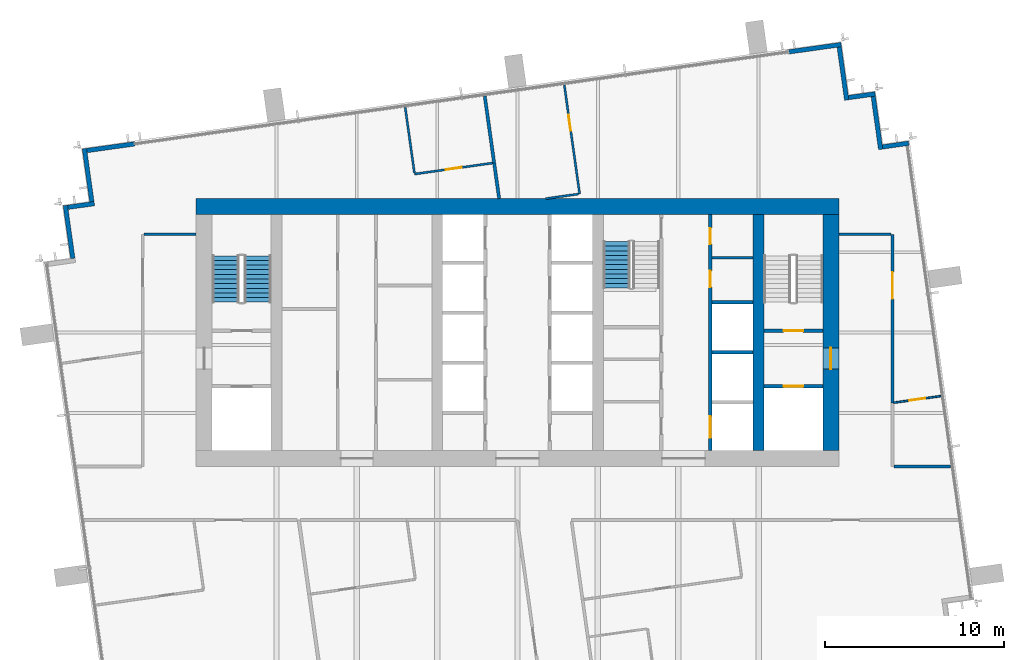
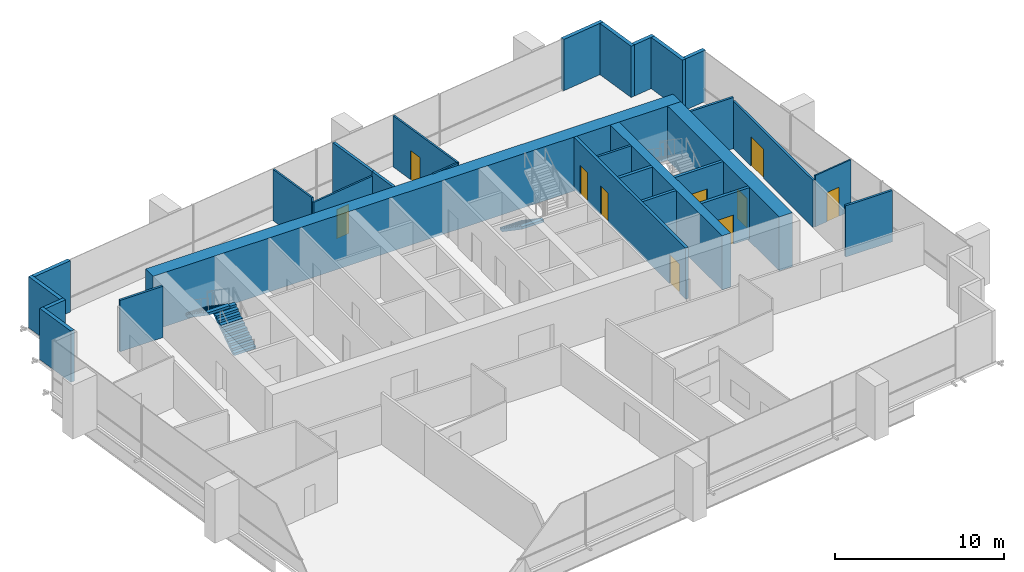
# One storey, part 10 of 12: 29 walls, 10 doors, 3 stair flights, 10 openings, 2 elements without a shape of their own.
"""IFC4 building model written with IfcOpenShell, lengths in metres."""

from ifc_helpers import new_model, si_unit, direction, frame, frame_2d, origin, place, context, subcontext, project, spatial, polyline, rectangle, outline, extrude, material, layer, layer_set, type_object, element, fill, aggregate, save


model = new_model("IFC4")

# Units and contexts
model_context = context("Model", 3, precision=1e-05, world=origin(), true_north=direction((0.0, 1.0)))
body_context = subcontext(model_context, "Body", "Model", "MODEL_VIEW")
ifc_project = project(units=[si_unit("LENGTHUNIT", "METRE"), si_unit("AREAUNIT", "SQUARE_METRE"), si_unit("VOLUMEUNIT", "CUBIC_METRE"), si_unit("PLANEANGLEUNIT", "RADIAN"), si_unit("MASSUNIT", "GRAM", prefix="KILO")], contexts=[model_context])

# Site, building, storey
site_placement = place(None, origin())
site = spatial("IfcSite", under=ifc_project, at=site_placement, CompositionType="ELEMENT")
building_placement = place(site_placement, origin())
building = spatial("IfcBuilding", under=site, at=building_placement, Name="Rattan Terrace Tower", CompositionType="ELEMENT")
storey_placement = place(building_placement, frame((0.0, 0.0, 282.39990234375)))
storey = spatial("IfcBuildingStorey", under=building, at=storey_placement, Name="L65", CompositionType="ELEMENT", Elevation=282.39990234375)

# Wall
ifc_material_1 = material(Name="Gypsum board partition")
ifc_layer_1 = layer(ifc_material_1, 0.14990234375)
ifc_layer_set_1 = layer_set([ifc_layer_1], Name="Core partition 150")
wall_type_1 = type_object("IfcWallType", Name="Core partition 150", PredefinedType="PARTITIONING", material=ifc_layer_set_1)
wall_1_placement = place(storey_placement, frame((10.89990234375, 4.199951171875, 0.0), z_axis=(0.0, 0.0, 1.0), x_axis=(1.0, 0.0, 0.0)))
element("IfcWall", 1, at=wall_1_placement, inside=storey, type_object=wall_type_1, Name="Riser room wall", PredefinedType="PARTITIONING", context=body_context, shape_type="SweptSolid", body=[
    extrude(rectangle(XDim=2.300048828125, YDim=0.14990234375, at=frame_2d((1.14990234375, 0.0))), origin(), (0.0, 0.0, 1.0), 3.7001953125),
])

# Wall, opening, door
ifc_material_2 = material(Name="Gypsum board partition")
ifc_layer_2 = layer(ifc_material_2, 0.199951171875)
ifc_layer_set_2 = layer_set([ifc_layer_2], Name="Core partition 200")
wall_type_2 = type_object("IfcWallType", Name="Core partition 200", PredefinedType="PARTITIONING", material=ifc_layer_set_2)
wall_2_placement = place(storey_placement, frame((13.800048828125, -3.0, 0.0), z_axis=(0.0, 0.0, 1.0), x_axis=(1.0, 0.0, 0.0)))
wall_2 = element("IfcWall", 2, at=wall_2_placement, inside=storey, type_object=wall_type_2, Name="Fire-fighting lobby wall", PredefinedType="PARTITIONING", context=body_context, shape_type="SweptSolid", body=[
    extrude(rectangle(XDim=3.300048828125, YDim=0.199951171875, at=frame_2d((1.64990234375, 0.0))), origin(), (0.0, 0.0, 1.0), 3.7001953125),
])
opening_1_placement = place(wall_2_placement, frame((1.10009765625, 0.0, 0.0)))
opening_1 = element("IfcOpeningElement", 3, at=opening_1_placement, cuts=wall_2, Name="Opening L65-LD-FF2", PredefinedType="OPENING", context=body_context, shape_type="SweptSolid", body=[
    extrude(rectangle(XDim=1.10009765625, YDim=2.10009765625, at=frame_2d((0.550048828125, 1.050048828125))), frame((0.0, 0.110595703125, 0.0), z_axis=(0.0, -1.0, 0.0), x_axis=(1.0, 0.0, 0.0)), (0.0, 0.0, 1.0), 0.220947265625),
])
ifc_material_3 = material(Name="Brushed stainless landing door panel")
door_type_1 = type_object("IfcDoorType", Name="Core lift landing door 1100", OperationType="DOUBLE_DOOR_SLIDING", PredefinedType="DOOR", material=ifc_material_3)
door_1_placement = place(opening_1_placement, origin())
door_1 = element("IfcDoor", 4, at=door_1_placement, inside=storey, type_object=door_type_1, Name="Door L65-LD-FF2", OperationType="DOUBLE_DOOR_SLIDING", OverallHeight=2.10009765625, OverallWidth=1.10009765625, PredefinedType="DOOR", context=body_context, shape_type="SweptSolid", body=[
    extrude(rectangle(XDim=1.10009765625, YDim=2.10009765625, at=frame_2d((0.550048828125, 1.050048828125))), frame((0.0, 0.02490234375, 0.0), z_axis=(0.0, -1.0, 0.0), x_axis=(1.0, 0.0, 0.0)), (0.0, 0.0, 1.0), 0.050048828125),
])
fill(opening_1, door_1)

wall_3_placement = place(storey_placement, frame((13.800048828125, 0.10009765625, 0.0), z_axis=(0.0, 0.0, 1.0), x_axis=(1.0, 0.0, 0.0)))
wall_3 = element("IfcWall", 5, at=wall_3_placement, inside=storey, type_object=wall_type_2, Name="Stair enclosure wall", PredefinedType="PARTITIONING", context=body_context, shape_type="SweptSolid", body=[
    extrude(rectangle(XDim=3.300048828125, YDim=0.199951171875, at=frame_2d((1.64990234375, 0.0))), origin(), (0.0, 0.0, 1.0), 3.7001953125),
])
opening_2_placement = place(wall_3_placement, frame((1.10009765625, 0.0, 0.0)))
opening_2 = element("IfcOpeningElement", 6, at=opening_2_placement, cuts=wall_3, Name="Opening L65-D004", PredefinedType="OPENING", context=body_context, shape_type="SweptSolid", body=[
    extrude(rectangle(XDim=1.10009765625, YDim=2.10009765625, at=frame_2d((0.550048828125, 1.050048828125))), frame((0.0, 0.110595703125, 0.0), z_axis=(0.0, -1.0, 0.0), x_axis=(1.0, 0.0, 0.0)), (0.0, 0.0, 1.0), 0.220947265625),
])
ifc_material_4 = material(Name="Hollow-metal fire door leaf")
door_type_2 = type_object("IfcDoorType", Name="Core stair door 1100", OperationType="NOTDEFINED", PredefinedType="DOOR", material=ifc_material_4)
door_2_placement = place(opening_2_placement, origin())
door_2 = element("IfcDoor", 7, at=door_2_placement, inside=storey, type_object=door_type_2, Name="Door L65-D004", OperationType="SINGLE_SWING_LEFT", OverallHeight=2.10009765625, OverallWidth=1.10009765625, PredefinedType="DOOR", context=body_context, shape_type="SweptSolid", body=[
    extrude(rectangle(XDim=1.10009765625, YDim=2.10009765625, at=frame_2d((0.550048828125, 1.050048828125))), frame((0.0, 0.02490234375, 0.0), z_axis=(0.0, -1.0, 0.0), x_axis=(1.0, 0.0, 0.0)), (0.0, 0.0, 1.0), 0.050048828125),
])
fill(opening_2, door_2)

# Wall
ifc_material_5 = material(Name="Concrete C50/60", Category="concrete")
ifc_layer_3 = layer(ifc_material_5, 0.89990234375)
ifc_layer_set_3 = layer_set([ifc_layer_3], Name="Core ring wall 900 C50/60")
wall_type_3 = type_object("IfcWallType", Name="Core ring wall 900 C50/60", PredefinedType="SHEAR", material=ifc_layer_set_3)
wall_4_placement = place(storey_placement, frame((-18.0, 7.050048828125, -0.199951171875), z_axis=(0.0, 0.0, 1.0), x_axis=(1.0, 0.0, 0.0)))
element("IfcWall", 8, at=wall_4_placement, inside=storey, type_object=wall_type_3, Name="Rear core wall north", PredefinedType="SHEAR", context=body_context, shape_type="SweptSolid", body=[
    extrude(rectangle(XDim=36.0, YDim=0.89990234375, at=frame_2d((18.0, 0.0))), origin(), (0.0, 0.0, 1.0), 3.900146484375),
])

# Wall, opening, door
wall_5_placement = place(storey_placement, frame((17.550048828125, -6.60009765625, -0.199951171875), z_axis=(0.0, 0.0, 1.0), x_axis=(0.0, 1.0, 0.0)))
wall_5 = element("IfcWall", 9, at=wall_5_placement, inside=storey, type_object=wall_type_3, Name="Rear core wall east", PredefinedType="SHEAR", context=body_context, shape_type="SweptSolid", body=[
    extrude(rectangle(XDim=13.2001953125, YDim=0.89990234375, at=frame_2d((6.60009765625, 0.0))), origin(), (0.0, 0.0, 1.0), 3.900146484375),
])
opening_3_placement = place(wall_5_placement, frame((4.550048828125, 0.0, 0.199951171875)))
opening_3 = element("IfcOpeningElement", 10, at=opening_3_placement, cuts=wall_5, Name="Opening L65-D003", PredefinedType="OPENING", context=body_context, shape_type="SweptSolid", body=[
    extrude(rectangle(XDim=1.199951171875, YDim=2.10009765625, at=frame_2d((0.60009765625, 1.050048828125))), frame((0.0, 0.46044921875, 0.0), z_axis=(0.0, -1.0, 0.0), x_axis=(1.0, 0.0, 0.0)), (0.0, 0.0, 1.0), 0.9208984375),
])
ifc_material_6 = material(Name="Hollow-metal fire door leaf")
door_type_3 = type_object("IfcDoorType", Name="Core fire-fighting lobby door 1200", OperationType="NOTDEFINED", PredefinedType="DOOR", material=ifc_material_6)
door_3_placement = place(opening_3_placement, origin())
door_3 = element("IfcDoor", 11, at=door_3_placement, inside=storey, type_object=door_type_3, Name="Door L65-D003", OperationType="SINGLE_SWING_RIGHT", OverallHeight=2.10009765625, OverallWidth=1.199951171875, PredefinedType="DOOR", context=body_context, shape_type="SweptSolid", body=[
    extrude(rectangle(XDim=1.199951171875, YDim=2.10009765625, at=frame_2d((0.60009765625, 1.050048828125))), frame((0.0, 0.02490234375, 0.0), z_axis=(0.0, -1.0, 0.0), x_axis=(1.0, 0.0, 0.0)), (0.0, 0.0, 1.0), 0.050048828125),
])
fill(opening_3, door_3)

# Walls
ifc_material_7 = material(Name="Concrete C50/60", Category="concrete")
ifc_layer_4 = layer(ifc_material_7, 0.60009765625)
ifc_layer_set_4 = layer_set([ifc_layer_4], Name="Core spine wall 600 C50/60")
wall_type_4 = type_object("IfcWallType", Name="Core spine wall 600 C50/60", PredefinedType="SHEAR", material=ifc_layer_set_4)
wall_6_placement = place(storey_placement, frame((13.5, -6.60009765625, -0.199951171875), z_axis=(0.0, 0.0, 1.0), x_axis=(0.0, 1.0, 0.0)))
element("IfcWall", 12, at=wall_6_placement, inside=storey, type_object=wall_type_4, Name="Core spine wall 4", PredefinedType="SHEAR", context=body_context, shape_type="SweptSolid", body=[
    extrude(rectangle(XDim=13.2001953125, YDim=0.60009765625, at=frame_2d((6.60009765625, 0.0))), origin(), (0.0, 0.0, 1.0), 3.900146484375),
])
ifc_material_8 = material(Name="Insulated aluminium-clad stud wall", Category="aluminium")
ifc_layer_5 = layer(ifc_material_8, 0.25)
ifc_layer_set_5 = layer_set([ifc_layer_5], Name="Facade Riser Wall 250")
wall_type_5 = type_object("IfcWallType", Name="Facade Riser Wall 250", PredefinedType="SOLIDWALL", material=ifc_layer_set_5)
wall_7_placement = place(storey_placement, frame((21.90625, 10.60498046875, 0.0), z_axis=(0.0, 0.0, 1.0), x_axis=(-0.990235520307, -0.13940449893, 0.0)))
element("IfcWall", 13, at=wall_7_placement, inside=storey, type_object=wall_type_5, Name="Riser wall L65-6", PredefinedType="SOLIDWALL", context=body_context, shape_type="SweptSolid", body=[
    extrude(rectangle(XDim=1.474609375, YDim=0.25, at=frame_2d((0.7373046875, 0.0))), origin(), (0.0, 0.0, 1.0), 3.7001953125),
])
wall_8_placement = place(storey_placement, frame((20.33984375, 10.25830078125, 0.0), z_axis=(0.0, 0.0, 1.0), x_axis=(-0.139393225799, 0.990237107263, 0.0)))
element("IfcWall", 14, at=wall_8_placement, inside=storey, type_object=wall_type_5, Name="Riser wall L65-7", PredefinedType="SOLIDWALL", context=body_context, shape_type="SweptSolid", body=[
    extrude(rectangle(XDim=3.000244140625, YDim=0.25, at=frame_2d((1.5, 0.0))), origin(), (0.0, 0.0, 1.0), 3.7001953125),
])
wall_9_placement = place(storey_placement, frame((20.028076171875, 13.370361328125, 0.0), z_axis=(0.0, 0.0, 1.0), x_axis=(-0.990330117064, -0.138730887823, 0.0)))
element("IfcWall", 15, at=wall_9_placement, inside=storey, type_object=wall_type_5, Name="Riser wall L65-8", PredefinedType="SOLIDWALL", context=body_context, shape_type="SweptSolid", body=[
    extrude(rectangle(XDim=1.499267578125, YDim=0.25, at=frame_2d((0.74951171875, 0.0))), origin(), (0.0, 0.0, 1.0), 3.7001953125),
])
wall_10_placement = place(storey_placement, frame((18.436767578125, 13.021240234375, 0.0), z_axis=(0.0, 0.0, 1.0), x_axis=(-0.139358350296, 0.990242015975, 0.0)))
element("IfcWall", 16, at=wall_10_placement, inside=storey, type_object=wall_type_5, Name="Riser wall L65-9", PredefinedType="SOLIDWALL", context=body_context, shape_type="SweptSolid", body=[
    extrude(rectangle(XDim=2.999267578125, YDim=0.25, at=frame_2d((1.49951171875, 0.0))), origin(), (0.0, 0.0, 1.0), 3.7001953125),
])
wall_11_placement = place(storey_placement, frame((18.125244140625, 16.13232421875, 0.0), z_axis=(0.0, 0.0, 1.0), x_axis=(-0.990291981483, -0.139002846771, 0.0)))
element("IfcWall", 17, at=wall_11_placement, inside=storey, type_object=wall_type_5, Name="Riser wall L65-10", PredefinedType="SOLIDWALL", context=body_context, shape_type="SweptSolid", body=[
    extrude(rectangle(XDim=2.9541015625, YDim=0.25, at=frame_2d((1.47705078125, 0.0))), origin(), (0.0, 0.0, 1.0), 3.7001953125),
])
wall_12_placement = place(storey_placement, frame((-21.4404296875, 10.571533203125, 0.0), z_axis=(0.0, 0.0, 1.0), x_axis=(-0.990293105353, -0.138994839796, 0.0)))
element("IfcWall", 18, at=wall_12_placement, inside=storey, type_object=wall_type_5, Name="Riser wall L65-11", PredefinedType="SOLIDWALL", context=body_context, shape_type="SweptSolid", body=[
    extrude(rectangle(XDim=2.705078125, YDim=0.25, at=frame_2d((1.3525390625, 0.0))), origin(), (0.0, 0.0, 1.0), 3.7001953125),
])
wall_13_placement = place(storey_placement, frame((-24.260498046875, 10.302001953125, 0.0), z_axis=(0.0, 0.0, 1.0), x_axis=(0.138994228812, -0.990293191109, 0.0)))
element("IfcWall", 19, at=wall_13_placement, inside=storey, type_object=wall_type_5, Name="Riser wall L65-12", PredefinedType="SOLIDWALL", context=body_context, shape_type="SweptSolid", body=[
    extrude(rectangle(XDim=3.0, YDim=0.25, at=frame_2d((1.5, 0.0))), origin(), (0.0, 0.0, 1.0), 3.7001953125),
])
wall_14_placement = place(storey_placement, frame((-23.7021484375, 7.224853515625, 0.0), z_axis=(0.0, 0.0, 1.0), x_axis=(-0.990243596651, -0.13934711799, 0.0)))
element("IfcWall", 20, at=wall_14_placement, inside=storey, type_object=wall_type_5, Name="Riser wall L65-13", PredefinedType="SOLIDWALL", context=body_context, shape_type="SweptSolid", body=[
    extrude(rectangle(XDim=1.499755859375, YDim=0.25, at=frame_2d((0.75, 0.0))), origin(), (0.0, 0.0, 1.0), 3.7001953125),
])
wall_15_placement = place(storey_placement, frame((-25.328369140625, 7.1220703125, 0.0), z_axis=(0.0, 0.0, 1.0), x_axis=(0.139358350296, -0.990242015975, 0.0)))
element("IfcWall", 21, at=wall_15_placement, inside=storey, type_object=wall_type_5, Name="Riser wall L65-14", PredefinedType="SOLIDWALL", context=body_context, shape_type="SweptSolid", body=[
    extrude(rectangle(XDim=2.999267578125, YDim=0.25, at=frame_2d((1.49951171875, 0.0))), origin(), (0.0, 0.0, 1.0), 3.7001953125),
])
ifc_material_9 = material(Name="Double steel stud acoustic partition, gypsum board, mineral wool, fire rated", Category="steel")
ifc_layer_6 = layer(ifc_material_9, 0.179931640625)
ifc_layer_set_6 = layer_set([ifc_layer_6], Name="Floors Acoustic Party Wall 180")
wall_type_6 = type_object("IfcWallType", Name="Floors Acoustic Party Wall 180", PredefinedType="PARTITIONING", material=ifc_layer_set_6)
wall_16_placement = place(storey_placement, frame((-1.31201171875, 9.506103515625, 0.0), z_axis=(0.0, 0.0, 1.0), x_axis=(0.139193896019, -0.990265145964, 0.0)))
element("IfcWall", 22, at=wall_16_placement, inside=storey, type_object=wall_type_6, Name="pt-L65-032", PredefinedType="PARTITIONING", context=body_context, shape_type="SweptSolid", body=[
    extrude(rectangle(XDim=2.02587890625, YDim=0.179931640625, at=frame_2d((1.012939453125, 0.0))), origin(), (0.0, 0.0, 1.0), 3.7001953125),
])
wall_17_placement = place(storey_placement, frame((-1.8359375, 13.237060546875, 0.0), z_axis=(0.0, 0.0, 1.0), x_axis=(0.139062210866, -0.990283646997, 0.0)))
element("IfcWall", 23, at=wall_17_placement, inside=storey, type_object=wall_type_6, Name="pt-L65-033", PredefinedType="PARTITIONING", context=body_context, shape_type="SweptSolid", body=[
    extrude(rectangle(XDim=3.767578125, YDim=0.179931640625, at=frame_2d((1.8837890625, 0.0))), origin(), (0.0, 0.0, 1.0), 3.7001953125),
])

# Wall, opening, door
ifc_material_10 = material(Name="Gypsum board partition on steel studs", Category="steel")
ifc_layer_7 = layer(ifc_material_10, 0.10009765625)
ifc_layer_set_7 = layer_set([ifc_layer_7], Name="Floors Partition 100")
wall_type_7 = type_object("IfcWallType", Name="Floors Partition 100", PredefinedType="PARTITIONING", material=ifc_layer_set_7)
wall_18_placement = place(storey_placement, frame((23.705078125, -3.556884765625, 0.0), z_axis=(0.0, 0.0, 1.0), x_axis=(-0.990242548456, -0.139354566582, 0.0)))
wall_18 = element("IfcWall", 24, at=wall_18_placement, inside=storey, type_object=wall_type_7, Name="pt-L65-034", PredefinedType="PARTITIONING", context=body_context, shape_type="SweptSolid", body=[
    extrude(rectangle(XDim=2.662841796875, YDim=0.10009765625, at=frame_2d((1.33154296875, 0.0))), origin(), (0.0, 0.0, 1.0), 3.7001953125),
])
opening_4_placement = place(wall_18_placement, frame((0.882080078125, 0.0, 0.0)))
opening_4 = element("IfcOpeningElement", 25, at=opening_4_placement, cuts=wall_18, Name="Opening L65-D111", PredefinedType="OPENING", context=body_context, shape_type="SweptSolid", body=[
    extrude(rectangle(XDim=0.89990234375, YDim=2.10009765625, at=frame_2d((0.449951171875, 1.050048828125))), frame((0.0, 0.060546875, 0.0), z_axis=(0.0, -1.0, 0.0), x_axis=(1.0, 0.0, 0.0)), (0.0, 0.0, 1.0), 0.12109375),
])
ifc_material_11 = material(Name="Solid core timber door, painted", Category="wood")
door_type_4 = type_object("IfcDoorType", Name="Floors Door 900x2100", OperationType="NOTDEFINED", PredefinedType="DOOR", material=ifc_material_11)
door_4_placement = place(opening_4_placement, origin())
door_4 = element("IfcDoor", 26, at=door_4_placement, inside=storey, type_object=door_type_4, Name="d-L65-111", OperationType="SINGLE_SWING_RIGHT", OverallHeight=2.10009765625, OverallWidth=0.89990234375, PredefinedType="DOOR", context=body_context, shape_type="SweptSolid", body=[
    extrude(rectangle(XDim=0.89990234375, YDim=2.10009765625, at=frame_2d((0.449951171875, 1.050048828125))), frame((0.0, 0.02490234375, 0.0), z_axis=(0.0, -1.0, 0.0), x_axis=(1.0, 0.0, 0.0)), (0.0, 0.0, 1.0), 0.050048828125),
])
fill(opening_4, door_4)

# Walls
ifc_material_12 = material(Name="Gypsum board partition on steel studs, fire rated", Category="steel")
ifc_layer_8 = layer(ifc_material_12, 0.14990234375)
ifc_layer_set_8 = layer_set([ifc_layer_8], Name="Floors Tenancy Wall 150")
wall_type_8 = type_object("IfcWallType", Name="Floors Tenancy Wall 150", PredefinedType="PARTITIONING", material=ifc_layer_set_8)
for number, where, z_axis, x_axis, name in (
    (27, (-20.925048828125, 5.5, 0.0), (0.0, 0.0, 1.0), (1.0, 0.0, 0.0), "pt-L65-012"),
    (28, (18.0, 5.5, 0.0), (0.0, 0.0, 1.0), (1.0, 0.0, 0.0), "pt-L65-015"),
):
    element("IfcWall", number, at=place(storey_placement, frame(where, z_axis=z_axis, x_axis=x_axis)), inside=storey, type_object=wall_type_8, Name=name, PredefinedType="PARTITIONING", context=body_context, shape_type="SweptSolid", body=[
        extrude(rectangle(XDim=2.925048828125, YDim=0.14990234375, at=frame_2d((1.46240234375, 0.0))), origin(), (0.0, 0.0, 1.0), 3.7001953125),
    ])

# Wall, opening, door
wall_19_placement = place(storey_placement, frame((21.0, 5.5, 0.0), z_axis=(0.0, 0.0, 1.0), x_axis=(0.0, -1.0, 0.0)))
wall_19 = element("IfcWall", 29, at=wall_19_placement, inside=storey, type_object=wall_type_8, Name="pt-L65-016", PredefinedType="PARTITIONING", context=body_context, shape_type="SweptSolid", body=[
    extrude(rectangle(XDim=9.4580078125, YDim=0.14990234375, at=frame_2d((4.72900390625, 0.0))), origin(), (0.0, 0.0, 1.0), 3.400146484375),
])
opening_5_placement = place(wall_19_placement, frame((2.114990234375, 0.0, 0.0)))
opening_5 = element("IfcOpeningElement", 30, at=opening_5_placement, cuts=wall_19, Name="Opening L65-D110", PredefinedType="OPENING", context=body_context, shape_type="SweptSolid", body=[
    extrude(rectangle(XDim=1.5, YDim=2.10009765625, at=frame_2d((0.75, 1.050048828125))), frame((0.0, 0.08544921875, 0.0), z_axis=(0.0, -1.0, 0.0), x_axis=(1.0, 0.0, 0.0)), (0.0, 0.0, 1.0), 0.1708984375),
])
ifc_material_13 = material(Name="Steel fire door set", Category="steel")
door_type_5 = type_object("IfcDoorType", Name="Floors Unit Door Pair FD30S 1500x2100", OperationType="NOTDEFINED", PredefinedType="DOOR", material=ifc_material_13)
door_5_placement = place(opening_5_placement, origin())
door_5 = element("IfcDoor", 31, at=door_5_placement, inside=storey, type_object=door_type_5, Name="d-L65-110", OperationType="DOUBLE_DOOR_SINGLE_SWING", OverallHeight=2.10009765625, OverallWidth=1.5, PredefinedType="DOOR", context=body_context, shape_type="SweptSolid", body=[
    extrude(rectangle(XDim=1.5, YDim=2.10009765625, at=frame_2d((0.75, 1.050048828125))), frame((0.0, 0.02490234375, 0.0), z_axis=(0.0, -1.0, 0.0), x_axis=(1.0, 0.0, 0.0)), (0.0, 0.0, 1.0), 0.050048828125),
])
fill(opening_5, door_5)

# Walls
wall_20_placement = place(storey_placement, frame((21.074951171875, -7.5, 0.0), z_axis=(0.0, 0.0, 1.0), x_axis=(1.0, 0.0, 0.0)))
element("IfcWall", 32, at=wall_20_placement, inside=storey, type_object=wall_type_8, Name="pt-L65-018", PredefinedType="PARTITIONING", context=body_context, shape_type="SweptSolid", body=[
    extrude(rectangle(XDim=3.18408203125, YDim=0.14990234375, at=frame_2d((1.592041015625, 0.0))), origin(), (0.0, 0.0, 1.0), 3.7001953125),
])
ifc_material_14 = material(Name="Moisture resistant gypsum board partition on steel studs with service cavity", Category="steel")
ifc_layer_9 = layer(ifc_material_14, 0.1201171875)
ifc_layer_set_9 = layer_set([ifc_layer_9], Name="Floors Wet Wall 120")
wall_type_9 = type_object("IfcWallType", Name="Floors Wet Wall 120", PredefinedType="PARTITIONING", material=ifc_layer_set_9)
wall_21_placement = place(storey_placement, frame((-6.2919921875, 12.610107421875, 0.0), z_axis=(0.0, 0.0, 1.0), x_axis=(0.13918119099, -0.990266931728, 0.0)))
element("IfcWall", 33, at=wall_21_placement, inside=storey, type_object=wall_type_9, Name="pt-L65-030", PredefinedType="PARTITIONING", context=body_context, shape_type="SweptSolid", body=[
    extrude(rectangle(XDim=3.708251953125, YDim=0.1201171875, at=frame_2d((1.85400390625, 0.0))), origin(), (0.0, 0.0, 1.0), 3.7001953125),
])

# Wall, opening, door
wall_22_placement = place(storey_placement, frame((-5.76806640625, 8.87890625, 0.0), z_axis=(0.0, 0.0, 1.0), x_axis=(0.990229842837, 0.139444821898, 0.0)))
wall_22 = element("IfcWall", 34, at=wall_22_placement, inside=storey, type_object=wall_type_9, Name="pt-L65-031", PredefinedType="PARTITIONING", context=body_context, shape_type="SweptSolid", body=[
    extrude(rectangle(XDim=4.41015625, YDim=0.1201171875, at=frame_2d((2.205078125, 0.0))), origin(), (0.0, 0.0, 1.0), 3.400146484375),
])
opening_6_placement = place(wall_22_placement, frame((1.7548828125, 0.0, 0.0)))
opening_6 = element("IfcOpeningElement", 35, at=opening_6_placement, cuts=wall_22, Name="Opening L65-D109", PredefinedType="OPENING", context=body_context, shape_type="SweptSolid", body=[
    extrude(rectangle(XDim=0.89990234375, YDim=2.10009765625, at=frame_2d((0.449951171875, 1.050048828125))), frame((0.0, 0.070556640625, 0.0), z_axis=(0.0, -1.0, 0.0), x_axis=(1.0, 0.0, 0.0)), (0.0, 0.0, 1.0), 0.14111328125),
])
door_6_placement = place(opening_6_placement, origin())
door_6 = element("IfcDoor", 36, at=door_6_placement, inside=storey, type_object=door_type_4, Name="d-L65-109", OperationType="SINGLE_SWING_RIGHT", OverallHeight=2.10009765625, OverallWidth=0.89990234375, PredefinedType="DOOR", context=body_context, shape_type="SweptSolid", body=[
    extrude(rectangle(XDim=0.89990234375, YDim=2.10009765625, at=frame_2d((0.449951171875, 1.050048828125))), frame((0.0, 0.02490234375, 0.0), z_axis=(0.0, -1.0, 0.0), x_axis=(1.0, 0.0, 0.0)), (0.0, 0.0, 1.0), 0.050048828125),
])
fill(opening_6, door_6)

# Wall
wall_23_placement = place(storey_placement, frame((1.575927734375, 7.501953125, 0.0), z_axis=(0.0, 0.0, 1.0), x_axis=(0.990319013032, 0.138810130855, 0.0)))
element("IfcWall", 37, at=wall_23_placement, inside=storey, type_object=wall_type_9, Name="pt-L65-035", PredefinedType="PARTITIONING", context=body_context, shape_type="SweptSolid", body=[
    extrude(rectangle(XDim=1.859130859375, YDim=0.1201171875, at=frame_2d((0.9296875, 0.0))), origin(), (0.0, 0.0, 1.0), 3.7001953125),
])

# Wall, opening, door
wall_24_placement = place(storey_placement, frame((3.47705078125, 7.76708984375, 0.0), z_axis=(0.0, 0.0, 1.0), x_axis=(-0.13920561026, 0.990263499313, 0.0)))
wall_24 = element("IfcWall", 38, at=wall_24_placement, inside=storey, type_object=wall_type_9, Name="pt-L65-036", PredefinedType="PARTITIONING", context=body_context, shape_type="SweptSolid", body=[
    extrude(rectangle(XDim=6.156005859375, YDim=0.1201171875, at=frame_2d((3.078125, 0.0))), origin(), (0.0, 0.0, 1.0), 3.7001953125),
])
opening_7_placement = place(wall_24_placement, frame((3.5791015625, 0.0, 0.0)))
opening_7 = element("IfcOpeningElement", 39, at=opening_7_placement, cuts=wall_24, Name="Opening L65-D112", PredefinedType="OPENING", context=body_context, shape_type="SweptSolid", body=[
    extrude(rectangle(XDim=0.89990234375, YDim=2.10009765625, at=frame_2d((0.449951171875, 1.050048828125))), frame((0.0, 0.070556640625, 0.0), z_axis=(0.0, -1.0, 0.0), x_axis=(1.0, 0.0, 0.0)), (0.0, 0.0, 1.0), 0.14111328125),
])
door_7_placement = place(opening_7_placement, origin())
door_7 = element("IfcDoor", 40, at=door_7_placement, inside=storey, type_object=door_type_4, Name="d-L65-112", OperationType="SINGLE_SWING_RIGHT", OverallHeight=2.10009765625, OverallWidth=0.89990234375, PredefinedType="DOOR", context=body_context, shape_type="SweptSolid", body=[
    extrude(rectangle(XDim=0.89990234375, YDim=2.10009765625, at=frame_2d((0.449951171875, 1.050048828125))), frame((0.0, 0.02490234375, 0.0), z_axis=(0.0, -1.0, 0.0), x_axis=(1.0, 0.0, 0.0)), (0.0, 0.0, 1.0), 0.050048828125),
])
fill(opening_7, door_7)

# Wall, openings, doors
ifc_material_15 = material(Name="Gypsum shaft wall system")
ifc_layer_10 = layer(ifc_material_15, 0.199951171875)
ifc_layer_set_10 = layer_set([ifc_layer_10], Name="Lift shaft wall 200")
wall_type_10 = type_object("IfcWallType", Name="Lift shaft wall 200", PredefinedType="PARTITIONING", material=ifc_layer_set_10)
wall_25_placement = place(storey_placement, frame((10.800048828125, -6.60009765625, 0.0), z_axis=(0.0, 0.0, 1.0), x_axis=(0.0, 1.0, 0.0)))
wall_25 = element("IfcWall", 41, at=wall_25_placement, inside=storey, type_object=wall_type_10, Name="Lift shaft front wall", PredefinedType="PARTITIONING", context=body_context, shape_type="SweptSolid", body=[
    extrude(rectangle(XDim=13.2001953125, YDim=0.199951171875, at=frame_2d((6.60009765625, 0.0))), origin(), (0.0, 0.0, 1.0), 3.7001953125),
])
opening_8_placement = place(wall_25_placement, frame((0.699951171875, 0.0, 0.0)))
opening_8 = element("IfcOpeningElement", 42, at=opening_8_placement, cuts=wall_25, Name="Opening L65-LD-SV1", PredefinedType="OPENING", context=body_context, shape_type="SweptSolid", body=[
    extrude(rectangle(XDim=1.199951171875, YDim=2.10009765625, at=frame_2d((0.60009765625, 1.050048828125))), frame((0.0, 0.110595703125, 0.0), z_axis=(0.0, -1.0, 0.0), x_axis=(1.0, 0.0, 0.0)), (0.0, 0.0, 1.0), 0.220947265625),
])
opening_9_placement = place(wall_25_placement, frame((9.14990234375, 0.0, 0.0)))
opening_9 = element("IfcOpeningElement", 43, at=opening_9_placement, cuts=wall_25, Name="Opening L65-D019", PredefinedType="OPENING", context=body_context, shape_type="SweptSolid", body=[
    extrude(rectangle(XDim=0.89990234375, YDim=2.10009765625, at=frame_2d((0.449951171875, 1.050048828125))), frame((0.0, 0.110595703125, 0.0), z_axis=(0.0, -1.0, 0.0), x_axis=(1.0, 0.0, 0.0)), (0.0, 0.0, 1.0), 0.220947265625),
])
opening_10_placement = place(wall_25_placement, frame((11.550048828125, 0.0, 0.0)))
opening_10 = element("IfcOpeningElement", 44, at=opening_10_placement, cuts=wall_25, Name="Opening L65-D020", PredefinedType="OPENING", context=body_context, shape_type="SweptSolid", body=[
    extrude(rectangle(XDim=0.89990234375, YDim=2.10009765625, at=frame_2d((0.449951171875, 1.050048828125))), frame((0.0, 0.110595703125, 0.0), z_axis=(0.0, -1.0, 0.0), x_axis=(1.0, 0.0, 0.0)), (0.0, 0.0, 1.0), 0.220947265625),
])
ifc_material_16 = material(Name="Brushed stainless landing door panel")
door_type_6 = type_object("IfcDoorType", Name="Core lift landing door 1200", OperationType="DOUBLE_DOOR_SLIDING", PredefinedType="DOOR", material=ifc_material_16)
door_8_placement = place(opening_8_placement, origin())
door_8 = element("IfcDoor", 45, at=door_8_placement, inside=storey, type_object=door_type_6, Name="Door L65-LD-SV1", OperationType="DOUBLE_DOOR_SLIDING", OverallHeight=2.10009765625, OverallWidth=1.199951171875, PredefinedType="DOOR", context=body_context, shape_type="SweptSolid", body=[
    extrude(rectangle(XDim=1.199951171875, YDim=2.10009765625, at=frame_2d((0.60009765625, 1.050048828125))), frame((0.0, 0.02490234375, 0.0), z_axis=(0.0, -1.0, 0.0), x_axis=(1.0, 0.0, 0.0)), (0.0, 0.0, 1.0), 0.050048828125),
])
fill(opening_8, door_8)
ifc_material_17 = material(Name="Hollow-metal fire door leaf")
door_type_7 = type_object("IfcDoorType", Name="Core riser door 900", OperationType="NOTDEFINED", PredefinedType="DOOR", material=ifc_material_17)
door_9_placement = place(opening_9_placement, origin())
door_9 = element("IfcDoor", 46, at=door_9_placement, inside=storey, type_object=door_type_7, Name="Door L65-D019", OperationType="SINGLE_SWING_RIGHT", OverallHeight=2.10009765625, OverallWidth=0.89990234375, PredefinedType="DOOR", context=body_context, shape_type="SweptSolid", body=[
    extrude(rectangle(XDim=0.89990234375, YDim=2.10009765625, at=frame_2d((0.449951171875, 1.050048828125))), frame((0.0, 0.02490234375, 0.0), z_axis=(0.0, -1.0, 0.0), x_axis=(1.0, 0.0, 0.0)), (0.0, 0.0, 1.0), 0.050048828125),
])
fill(opening_9, door_9)
door_10_placement = place(opening_10_placement, origin())
door_10 = element("IfcDoor", 47, at=door_10_placement, inside=storey, type_object=door_type_7, Name="Door L65-D020", OperationType="SINGLE_SWING_LEFT", OverallHeight=2.10009765625, OverallWidth=0.89990234375, PredefinedType="DOOR", context=body_context, shape_type="SweptSolid", body=[
    extrude(rectangle(XDim=0.89990234375, YDim=2.10009765625, at=frame_2d((0.449951171875, 1.050048828125))), frame((0.0, 0.02490234375, 0.0), z_axis=(0.0, -1.0, 0.0), x_axis=(1.0, 0.0, 0.0)), (0.0, 0.0, 1.0), 0.050048828125),
])
fill(opening_10, door_10)

# Walls
for number, where, z_axis, x_axis, name in (
    (48, (10.89990234375, -1.10009765625, 0.0), (0.0, 0.0, 1.0), (1.0, 0.0, 0.0), "Lift shaft wall"),
    (49, (10.89990234375, 1.699951171875, 0.0), (0.0, 0.0, 1.0), (1.0, 0.0, 0.0), "Lift shaft wall"),
):
    element("IfcWall", number, at=place(storey_placement, frame(where, z_axis=z_axis, x_axis=x_axis)), inside=storey, type_object=wall_type_10, Name=name, PredefinedType="PARTITIONING", context=body_context, shape_type="SweptSolid", body=[
        extrude(rectangle(XDim=2.300048828125, YDim=0.199951171875, at=frame_2d((1.14990234375, 0.0))), origin(), (0.0, 0.0, 1.0), 3.7001953125),
    ])

# Stair, stair flights
ifc_material_18 = material(Name="Concrete C40/50", Category="concrete")
stair_type = type_object("IfcStairType", Name="Core exit stair 1500", PredefinedType="HALF_TURN_STAIR", material=ifc_material_18)
stair_1_placement = place(storey_placement, origin())
stair_1 = element("IfcStair", 50, at=stair_1_placement, inside=storey, type_object=stair_type, Name="L65 exit stair 1", PredefinedType="HALF_TURN_STAIR")
ifc_material_19 = material(Name="Concrete C40/50", Category="concrete")
stair_flight_type = type_object("IfcStairFlightType", Name="Core exit stair flight 1500", PredefinedType="STRAIGHT", material=ifc_material_19)
stair_flight_1_placement = place(storey_placement, frame((-14.550048828125, 1.699951171875, 0.0), z_axis=(0.0, 0.0, 1.0), x_axis=(0.0, 1.0, 0.0)))
stair_flight_1 = element("IfcStairFlight", 51, at=stair_flight_1_placement, type_object=stair_flight_type, Name="S1 flight 1", NumberOfRisers=11, NumberOfTreads=10, PredefinedType="STRAIGHT", RiserHeight=0.177272727, TreadLength=0.26, context=body_context, shape_type="SweptSolid", body=[
    extrude(outline(polyline([(0.0, 0.0), (0.0, 0.17724609375), (0.260009765625, 0.17724609375), (0.260009765625, 0.3544921875), (0.52001953125, 0.3544921875), (0.52001953125, 0.53173828125), (0.780029296875, 0.53173828125), (0.780029296875, 0.708984375), (1.0400390625, 0.708984375), (1.0400390625, 0.886474609375), (1.300048828125, 0.886474609375), (1.300048828125, 1.063720703125), (1.56005859375, 1.063720703125), (1.56005859375, 1.240966796875), (1.820068359375, 1.240966796875), (1.820068359375, 1.418212890625), (2.080078125, 1.418212890625), (2.080078125, 1.595458984375), (2.340087890625, 1.595458984375), (2.340087890625, 1.772705078125), (2.60009765625, 1.772705078125), (2.60009765625, 1.949951171875), (2.60009765625, 1.59130859375), (0.26611328125, 0.0), (0.0, 0.0)])), frame((0.0, 0.75, 0.0), z_axis=(0.0, -1.0, 0.0), x_axis=(1.0, 0.0, 0.0)), (0.0, 0.0, 1.0), 1.5),
])
stair_flight_2_placement = place(storey_placement, frame((-16.35009765625, 4.300048828125, 1.9501953125), z_axis=(0.0, 0.0, 1.0), x_axis=(0.0, -1.0, 0.0)))
stair_flight_2 = element("IfcStairFlight", 52, at=stair_flight_2_placement, type_object=stair_flight_type, Name="S1 flight 2", NumberOfRisers=11, NumberOfTreads=10, PredefinedType="STRAIGHT", RiserHeight=0.177272727, TreadLength=0.26, context=body_context, shape_type="SweptSolid", body=[
    extrude(outline(polyline([(0.0, 0.0), (0.0, 0.17724609375), (0.260009765625, 0.17724609375), (0.260009765625, 0.3544921875), (0.52001953125, 0.3544921875), (0.52001953125, 0.53173828125), (0.780029296875, 0.53173828125), (0.780029296875, 0.708984375), (1.0400390625, 0.708984375), (1.0400390625, 0.886474609375), (1.300048828125, 0.886474609375), (1.300048828125, 1.063720703125), (1.56005859375, 1.063720703125), (1.56005859375, 1.240966796875), (1.820068359375, 1.240966796875), (1.820068359375, 1.418212890625), (2.080078125, 1.418212890625), (2.080078125, 1.595458984375), (2.340087890625, 1.595458984375), (2.340087890625, 1.772705078125), (2.60009765625, 1.772705078125), (2.60009765625, 1.949951171875), (2.60009765625, 1.59130859375), (0.26611328125, 0.0), (0.0, 0.0)])), frame((0.0, 0.75, 0.0), z_axis=(0.0, -1.0, 0.0), x_axis=(1.0, 0.0, 0.0)), (0.0, 0.0, 1.0), 1.5),
])
aggregate(stair_1, [stair_flight_1, stair_flight_2])

# Stair, stair flight
stair_2_placement = place(storey_placement, origin())
stair_2 = element("IfcStair", 53, at=stair_2_placement, inside=storey, type_object=stair_type, Name="L65 exit stair 3", PredefinedType="HALF_TURN_STAIR")
stair_flight_3_placement = place(storey_placement, frame((5.550048828125, 5.10009765625, 0.0), z_axis=(0.0, 0.0, 1.0), x_axis=(0.0, -1.0, 0.0)))
stair_flight_3 = element("IfcStairFlight", 54, at=stair_flight_3_placement, type_object=stair_flight_type, Name="S3 flight 1", NumberOfRisers=11, NumberOfTreads=10, PredefinedType="STRAIGHT", RiserHeight=0.177272727, TreadLength=0.26, context=body_context, shape_type="SweptSolid", body=[
    extrude(outline(polyline([(0.0, 0.0), (0.0, 0.17724609375), (0.260009765625, 0.17724609375), (0.260009765625, 0.3544921875), (0.52001953125, 0.3544921875), (0.52001953125, 0.53173828125), (0.780029296875, 0.53173828125), (0.780029296875, 0.708984375), (1.0400390625, 0.708984375), (1.0400390625, 0.886474609375), (1.300048828125, 0.886474609375), (1.300048828125, 1.063720703125), (1.56005859375, 1.063720703125), (1.56005859375, 1.240966796875), (1.820068359375, 1.240966796875), (1.820068359375, 1.418212890625), (2.080078125, 1.418212890625), (2.080078125, 1.595458984375), (2.340087890625, 1.595458984375), (2.340087890625, 1.772705078125), (2.60009765625, 1.772705078125), (2.60009765625, 1.949951171875), (2.60009765625, 1.59130859375), (0.26611328125, 0.0), (0.0, 0.0)])), frame((0.0, 0.75, 0.0), z_axis=(0.0, -1.0, 0.0), x_axis=(1.0, 0.0, 0.0)), (0.0, 0.0, 1.0), 1.5),
])
aggregate(stair_2, [stair_flight_3])

save(model, "model.ifc")
